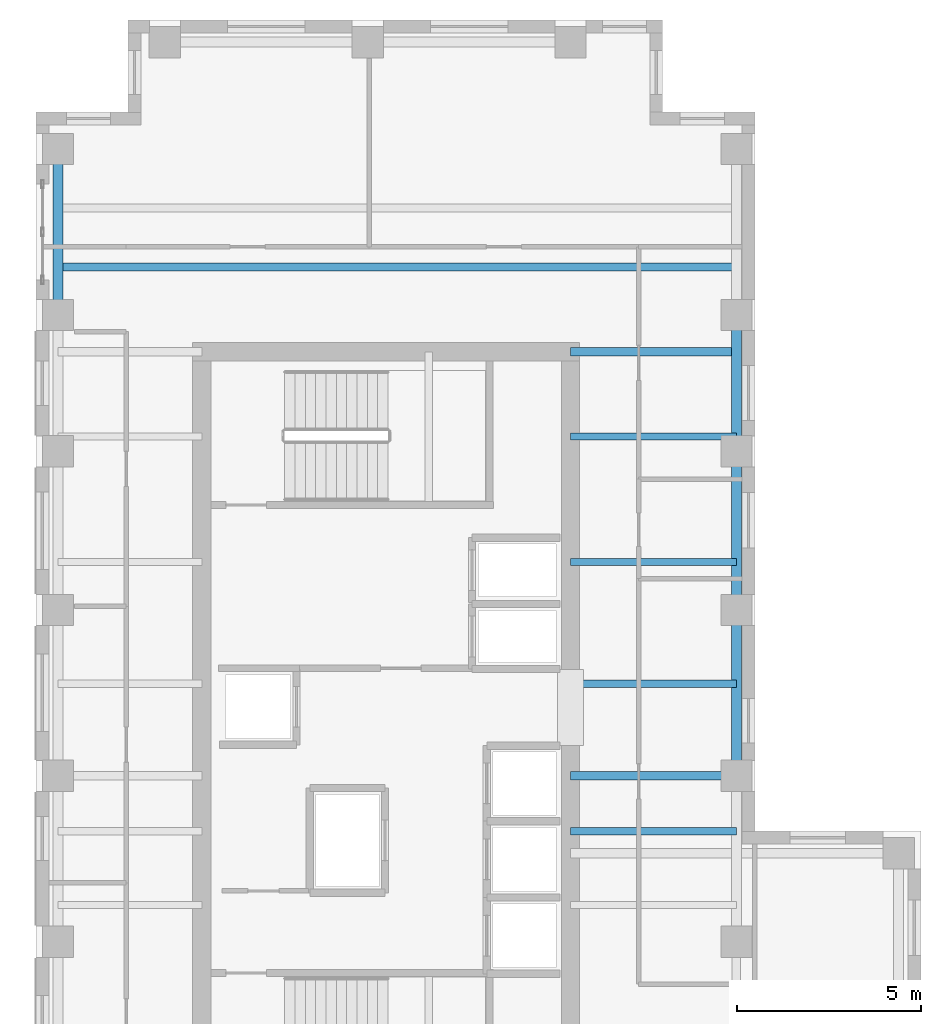
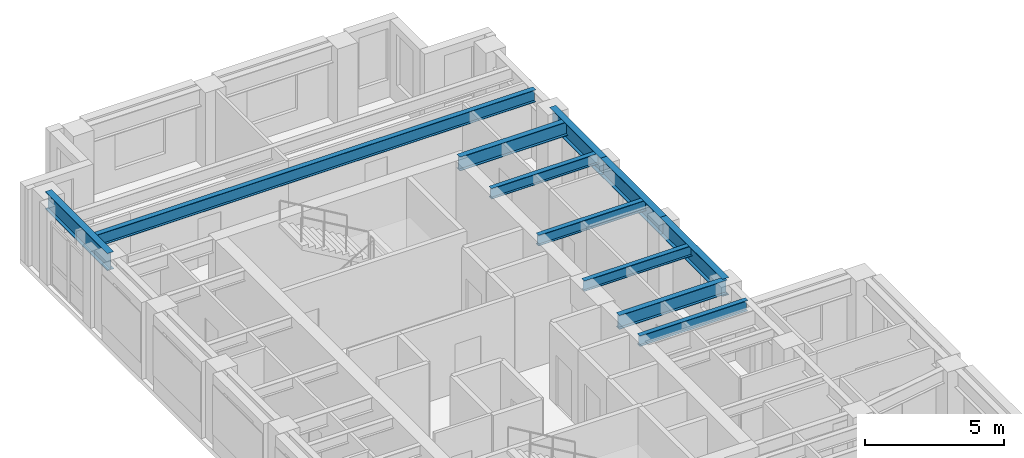
# One storey, part 3 of 10: 11 beams.
"""IFC4 building model written with IfcOpenShell, lengths in metres."""

from ifc_helpers import new_model, si_unit, direction, frame, origin, origin_2d, place, context, subcontext, project, spatial, i_section, extrude, source, transform, mapped, material, material_profile, profile_set, type_object, element, save


model = new_model("IFC4")

# Units and contexts
model_context = context("Model", 3, precision=1e-05, world=origin(), true_north=direction((0.0, 1.0)))
body_context = subcontext(model_context, "Body", "Model", "MODEL_VIEW")
ifc_project = project(units=[si_unit("LENGTHUNIT", "METRE"), si_unit("AREAUNIT", "SQUARE_METRE"), si_unit("VOLUMEUNIT", "CUBIC_METRE"), si_unit("PLANEANGLEUNIT", "RADIAN"), si_unit("MASSUNIT", "GRAM", prefix="KILO")], contexts=[model_context])

# Site, building, storey
site_placement = place(None, origin())
site = spatial("IfcSite", under=ifc_project, at=site_placement, CompositionType="ELEMENT")
building_placement = place(site_placement, origin())
building = spatial("IfcBuilding", under=site, at=building_placement, Name="Kharzan Plaza Tower", CompositionType="ELEMENT")
storey_placement = place(building_placement, frame((0.0, 0.0, 266.39990234375)))
storey = spatial("IfcBuildingStorey", under=building, at=storey_placement, Name="L72", CompositionType="ELEMENT", Elevation=266.39990234375)

# Beams
ifc_material = material(Name="Steel S355", Category="steel")
ifc_material_profile_1 = material_profile(ifc_material, i_section(OverallWidth=0.2099609375, OverallDepth=0.537109375, WebThickness=0.010986328125, FlangeThickness=0.017333984375, at=origin_2d()), Name="W530x101")
ifc_profile_set_1 = profile_set([ifc_material_profile_1], Name="Steel S355")
beam_type_1 = type_object("IfcBeamType", Name="BM-JST530B", PredefinedType="JOIST", material=ifc_profile_set_1)
shared_shape_1 = source(origin(), body_context, "Body", "SweptSolid", [
    extrude(i_section(OverallWidth=0.2099609375, OverallDepth=0.537109375, WebThickness=0.010986328125, FlangeThickness=0.017333984375, at=origin_2d()), origin(), (0.0, 0.0, 1.0), 18.39990234375),
])
beam_1_placement = place(storey_placement, frame((0.60009765625, 31.800048828125, 3.131591796875), z_axis=(1.0, 0.0, 0.0), x_axis=(0.0, 1.0, 0.0)))
element("IfcBeam", 1, at=beam_1_placement, inside=storey, type_object=beam_type_1, Name="L72 Wing A Composite Joist 04", PredefinedType="JOIST", context=body_context, shape_type="MappedRepresentation", body=[
    mapped(shared_shape_1, transform((0.0, 0.0, 0.0), x_axis=(1.0, 0.0, 0.0), y_axis=(0.0, 1.0, 0.0), z_axis=(0.0, 0.0, 1.0))),
])
ifc_material_profile_2 = material_profile(ifc_material, i_section(OverallWidth=0.194091796875, OverallDepth=0.468994140625, WebThickness=0.011474609375, FlangeThickness=0.0205078125, at=origin_2d()), Name="W460x106")
ifc_profile_set_2 = profile_set([ifc_material_profile_2], Name="Steel S355")
beam_type_2 = type_object("IfcBeamType", Name="BM-JST460", PredefinedType="JOIST", material=ifc_profile_set_2)
shared_shape_2 = source(origin(), body_context, "Body", "SweptSolid", [
    extrude(i_section(OverallWidth=0.194091796875, OverallDepth=0.468994140625, WebThickness=0.011474609375, FlangeThickness=0.0205078125, at=origin_2d()), origin(), (0.0, 0.0, 1.0), 4.5),
])
for number, where, z_axis, x_axis, name in (
    (2, (14.5, 16.5, 3.16552734375), (1.0, 0.0, 0.0), (0.0, 1.0, 0.0), "L72 Wing A East Infill Joist 3"),
    (3, (14.5, 20.5, 3.16552734375), (1.0, 0.0, 0.0), (0.0, 1.0, 0.0), "L72 Wing A East Infill Joist 4"),
    (4, (14.5, 23.800048828125, 3.16552734375), (1.0, 0.0, 0.0), (0.0, 1.0, 0.0), "L72 Wing A East Infill Joist 5"),
    (5, (14.5, 27.199951171875, 3.16552734375), (1.0, 0.0, 0.0), (0.0, 1.0, 0.0), "L72 Wing A East Infill Joist 6"),
):
    element("IfcBeam", number, at=place(storey_placement, frame(where, z_axis=z_axis, x_axis=x_axis)), inside=storey, type_object=beam_type_2, Name=name, PredefinedType="JOIST", context=body_context, shape_type="MappedRepresentation", body=[
        mapped(shared_shape_2, transform((0.0, 0.0, 0.0), x_axis=(1.0, 0.0, 0.0), y_axis=(0.0, 1.0, 0.0), z_axis=(0.0, 0.0, 1.0))),
    ])
ifc_material_profile_3 = material_profile(ifc_material, i_section(OverallWidth=0.22900390625, OverallDepth=0.612060546875, WebThickness=0.011962890625, FlangeThickness=0.01953125, at=origin_2d()), Name="W610x125")
ifc_profile_set_3 = profile_set([ifc_material_profile_3], Name="Steel S355")
beam_type_3 = type_object("IfcBeamType", Name="BM-FG610B", PredefinedType="BEAM", material=ifc_profile_set_3)
shared_shape_3 = source(origin(), body_context, "Body", "SweptSolid", [
    extrude(i_section(OverallWidth=0.22900390625, OverallDepth=0.612060546875, WebThickness=0.011962890625, FlangeThickness=0.01953125, at=origin_2d()), origin(), (0.0, 0.0, 1.0), 4.5),
])
for number, where, z_axis, x_axis, name in (
    (6, (14.5, 18.0, 3.093994140625), (1.0, 0.0, 0.0), (0.0, 1.0, 0.0), "L72 Core-A East Floor Girder 2"),
    (7, (14.5, 29.5, 3.093994140625), (1.0, 0.0, 0.0), (0.0, 1.0, 0.0), "L72 Core-A East Floor Girder 3"),
):
    element("IfcBeam", number, at=place(storey_placement, frame(where, z_axis=z_axis, x_axis=x_axis)), inside=storey, type_object=beam_type_3, Name=name, PredefinedType="BEAM", context=body_context, shape_type="MappedRepresentation", body=[
        mapped(shared_shape_3, transform((0.0, 0.0, 0.0), x_axis=(1.0, 0.0, 0.0), y_axis=(0.0, 1.0, 0.0), z_axis=(0.0, 0.0, 1.0))),
    ])
ifc_material_profile_4 = material_profile(ifc_material, i_section(OverallWidth=0.26708984375, OverallDepth=0.76611328125, WebThickness=0.014892578125, FlangeThickness=0.023681640625, at=origin_2d()), Name="W760x185")
ifc_profile_set_4 = profile_set([ifc_material_profile_4], Name="Steel S355")
beam_type_4 = type_object("IfcBeamType", Name="BM-SP760B", PredefinedType="SPANDREL", material=ifc_profile_set_4)
shared_shape_4 = source(origin(), body_context, "Body", "SweptSolid", [
    extrude(i_section(OverallWidth=0.26708984375, OverallDepth=0.76611328125, WebThickness=0.014892578125, FlangeThickness=0.023681640625, at=origin_2d()), origin(), (0.0, 0.0, 1.0), 4.5),
])
for number, where, z_axis, x_axis, name in (
    (8, (0.60009765625, 30.5, 3.01708984375), (0.0, 1.0, 0.0), (-1.0, 0.0, 0.0), "L72 Perimeter Tube Spandrel"),
    (9, (19.0, 18.0, 3.01708984375), (0.0, 1.0, 0.0), (-1.0, 0.0, 0.0), "L72 Perimeter Tube Spandrel"),
):
    element("IfcBeam", number, at=place(storey_placement, frame(where, z_axis=z_axis, x_axis=x_axis)), inside=storey, type_object=beam_type_4, Name=name, PredefinedType="SPANDREL", context=body_context, shape_type="MappedRepresentation", body=[
        mapped(shared_shape_4, transform((0.0, 0.0, 0.0), x_axis=(1.0, 0.0, 0.0), y_axis=(0.0, 1.0, 0.0), z_axis=(0.0, 0.0, 1.0))),
    ])
shared_shape_5 = source(origin(), body_context, "Body", "SweptSolid", [
    extrude(i_section(OverallWidth=0.26708984375, OverallDepth=0.76611328125, WebThickness=0.014892578125, FlangeThickness=0.023681640625, at=origin_2d()), origin(), (0.0, 0.0, 1.0), 4.300048828125),
])
beam_2_placement = place(storey_placement, frame((19.0, 22.5, 3.01708984375), z_axis=(0.0, 1.0, 0.0), x_axis=(-1.0, 0.0, 0.0)))
element("IfcBeam", 10, at=beam_2_placement, inside=storey, type_object=beam_type_4, Name="L72 Perimeter Tube Spandrel", PredefinedType="SPANDREL", context=body_context, shape_type="MappedRepresentation", body=[
    mapped(shared_shape_5, transform((0.0, 0.0, 0.0), x_axis=(1.0, 0.0, 0.0), y_axis=(0.0, 1.0, 0.0), z_axis=(0.0, 0.0, 1.0))),
])
shared_shape_6 = source(origin(), body_context, "Body", "SweptSolid", [
    extrude(i_section(OverallWidth=0.26708984375, OverallDepth=0.76611328125, WebThickness=0.014892578125, FlangeThickness=0.023681640625, at=origin_2d()), origin(), (0.0, 0.0, 1.0), 3.699951171875),
])
beam_3_placement = place(storey_placement, frame((19.0, 26.800048828125, 3.01708984375), z_axis=(0.0, 1.0, 0.0), x_axis=(-1.0, 0.0, 0.0)))
element("IfcBeam", 11, at=beam_3_placement, inside=storey, type_object=beam_type_4, Name="L72 Perimeter Tube Spandrel", PredefinedType="SPANDREL", context=body_context, shape_type="MappedRepresentation", body=[
    mapped(shared_shape_6, transform((0.0, 0.0, 0.0), x_axis=(1.0, 0.0, 0.0), y_axis=(0.0, 1.0, 0.0), z_axis=(0.0, 0.0, 1.0))),
])

save(model, "model.ifc")
